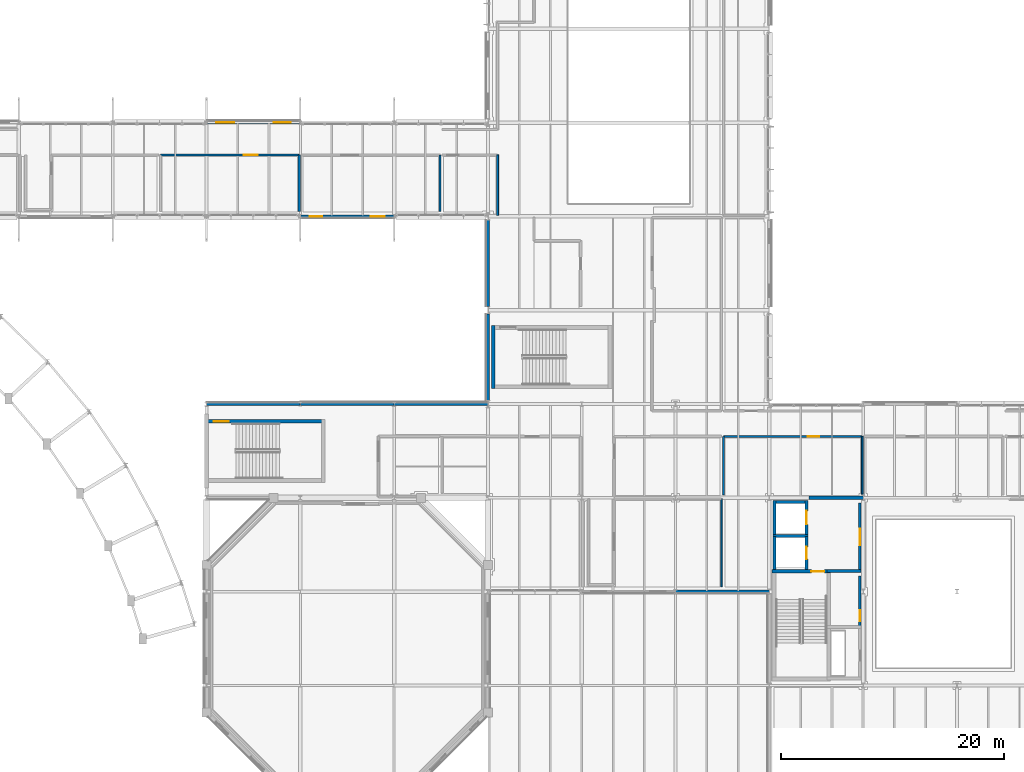
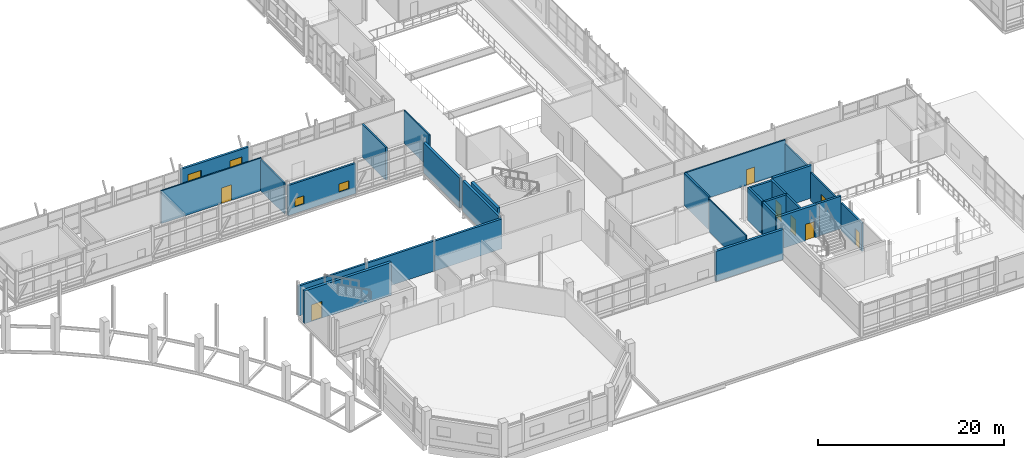
# One storey, part 95 of 129: 29 walls, 8 doors, 4 windows, 12 openings.
"""IFC4 building model written with IfcOpenShell, lengths in metres."""

from ifc_helpers import new_model, si_unit, direction, frame, frame_2d, origin, place, context, subcontext, project, spatial, rectangle, extrude, material, layer, layer_set, type_object, element, fill, save


model = new_model("IFC4")

# Units and contexts
model_context = context("Model", 3, precision=1e-05, world=origin(), true_north=direction((0.0, 1.0)))
body_context = subcontext(model_context, "Body", "Model", "MODEL_VIEW")
ifc_project = project(units=[si_unit("LENGTHUNIT", "METRE"), si_unit("AREAUNIT", "SQUARE_METRE"), si_unit("VOLUMEUNIT", "CUBIC_METRE"), si_unit("PLANEANGLEUNIT", "RADIAN"), si_unit("MASSUNIT", "GRAM", prefix="KILO")], contexts=[model_context])

# Site, building, storey
site_placement = place(None, origin())
site = spatial("IfcSite", under=ifc_project, at=site_placement, CompositionType="ELEMENT")
building_placement = place(site_placement, origin())
building = spatial("IfcBuilding", under=site, at=building_placement, Name="Mersafa Astral City Hall", CompositionType="ELEMENT")
storey_placement = place(building_placement, frame((0.0, 0.0, 5.39990234375)))
storey = spatial("IfcBuildingStorey", under=building, at=storey_placement, Name="L01", CompositionType="ELEMENT", Elevation=5.39990234375)

# Wall, openings, windows
ifc_material_1 = material(Name="Precast concrete C40/50 insulated terracotta spandrel", Category="masonry")
ifc_layer_1 = layer(ifc_material_1, 0.235107421875, Name="Precast concrete C40/50 insulated terracotta spandrel")
ifc_layer_set_1 = layer_set([ifc_layer_1], Name="Precast concrete C40/50 insulated terracotta spandrel — ENV-WAL-EXT-235")
wall_type_1 = type_object("IfcWallType", Name="ENV-WAL-EXT-235", PredefinedType="STANDARD", material=ifc_layer_set_1)
wall_1_placement = place(storey_placement, frame((75.60791015625, 50.39990234375, 0.0), z_axis=(0.0, 0.0, 1.0), x_axis=(1.0, 0.0, 0.0)))
wall_1 = element("IfcWall", 1, at=wall_1_placement, inside=storey, type_object=wall_type_1, Name="L01 Limestone-clad exterior wall 143", PredefinedType="STANDARD", context=body_context, shape_type="SweptSolid", body=[
    extrude(rectangle(XDim=8.384033203125, YDim=0.235107421875, at=frame_2d((4.19189453125, 0.0))), origin(), (0.0, 0.0, 1.0), 3.9521484375),
])
opening_1_placement = place(wall_1_placement, frame((0.85009765625, 0.0, 0.89990234375)))
opening_1 = element("IfcOpeningElement", 2, at=opening_1_placement, cuts=wall_1, Name="Opening W-02", PredefinedType="OPENING", context=body_context, shape_type="SweptSolid", body=[
    extrude(rectangle(XDim=1.1201171875, YDim=1.050048828125, at=frame_2d((0.56005859375, 0.52490234375))), frame((0.0, 0.12744140625, 0.0), z_axis=(0.0, -1.0, 0.0), x_axis=(1.0, 0.0, 0.0)), (0.0, 0.0, 1.0), 0.255126953125),
])
opening_2_placement = place(wall_1_placement, frame((6.31396484375, 0.0, 0.89990234375)))
opening_2 = element("IfcOpeningElement", 3, at=opening_2_placement, cuts=wall_1, Name="Opening W-03", PredefinedType="OPENING", context=body_context, shape_type="SweptSolid", body=[
    extrude(rectangle(XDim=1.219970703125, YDim=1.050048828125, at=frame_2d((0.60986328125, 0.52490234375))), frame((0.0, 0.12744140625, 0.0), z_axis=(0.0, -1.0, 0.0), x_axis=(1.0, 0.0, 0.0)), (0.0, 0.0, 1.0), 0.255126953125),
])
ifc_material_2 = material(Name="Solar control low-e double glazing in bronze frame", Category="glass")
window_type_1 = type_object("IfcWindowType", Name="ENV-WIN-W-02", PartitioningType="SINGLE_PANEL", PredefinedType="WINDOW", material=ifc_material_2)
window_1_placement = place(opening_1_placement, origin())
window_1 = element("IfcWindow", 4, at=window_1_placement, inside=storey, type_object=window_type_1, Name="L01 Solar punched window 143-L", OverallHeight=1.050048828125, OverallWidth=1.1201171875, PartitioningType="SINGLE_PANEL", PredefinedType="WINDOW", context=body_context, shape_type="SweptSolid", body=[
    extrude(rectangle(XDim=1.1201171875, YDim=1.050048828125, at=frame_2d((0.56005859375, 0.52490234375))), frame((0.0, 0.030029296875, 0.0), z_axis=(0.0, -1.0, 0.0), x_axis=(1.0, 0.0, 0.0)), (0.0, 0.0, 1.0), 0.06005859375),
])
fill(opening_1, window_1)
window_type_2 = type_object("IfcWindowType", Name="ENV-WIN-W-03", PartitioningType="SINGLE_PANEL", PredefinedType="WINDOW", material=ifc_material_2)
window_2_placement = place(opening_2_placement, origin())
window_2 = element("IfcWindow", 5, at=window_2_placement, inside=storey, type_object=window_type_2, Name="L01 Solar punched window 143-R", OverallHeight=1.050048828125, OverallWidth=1.219970703125, PartitioningType="SINGLE_PANEL", PredefinedType="WINDOW", context=body_context, shape_type="SweptSolid", body=[
    extrude(rectangle(XDim=1.219970703125, YDim=1.050048828125, at=frame_2d((0.60986328125, 0.52490234375))), frame((0.0, 0.030029296875, 0.0), z_axis=(0.0, -1.0, 0.0), x_axis=(1.0, 0.0, 0.0)), (0.0, 0.0, 1.0), 0.06005859375),
])
fill(opening_2, window_2)

# Walls
ifc_layer_2 = layer(ifc_material_1, 0.25, Name="Precast concrete C40/50 insulated terracotta spandrel")
ifc_layer_set_2 = layer_set([ifc_layer_2], Name="Precast concrete C40/50 insulated terracotta spandrel — ENV-WAL-EXT-250")
wall_type_2 = type_object("IfcWallType", Name="ENV-WAL-EXT-250", PredefinedType="STANDARD", material=ifc_layer_set_2)
wall_2_placement = place(storey_placement, frame((75.592041015625, 33.60009765625, 0.0), z_axis=(0.0, 0.0, 1.0), x_axis=(-1.0, 0.0, 0.0)))
element("IfcWall", 6, at=wall_2_placement, inside=storey, type_object=wall_type_2, Name="L01 Limestone-clad exterior wall 148", PredefinedType="STANDARD", context=body_context, shape_type="SweptSolid", body=[
    extrude(rectangle(XDim=8.384033203125, YDim=0.25, at=frame_2d((4.19189453125, 0.0))), origin(), (0.0, 0.0, 1.0), 3.922119140625),
])
ifc_material_3 = material(Name="Precast concrete C40/50 insulated limestone wall", Category="masonry")
ifc_layer_3 = layer(ifc_material_3, 0.264892578125, Name="Precast concrete C40/50 insulated limestone wall")
ifc_layer_set_3 = layer_set([ifc_layer_3], Name="Precast concrete C40/50 insulated limestone wall — ENV-WAL-EXT-265")
wall_type_3 = type_object("IfcWallType", Name="ENV-WAL-EXT-265", PredefinedType="STANDARD", material=ifc_layer_set_3)
wall_3_placement = place(storey_placement, frame((83.991943359375, 33.60009765625, 0.0), z_axis=(0.0, 0.0, 1.0), x_axis=(-1.0, 0.0, 0.0)))
element("IfcWall", 7, at=wall_3_placement, inside=storey, type_object=wall_type_3, Name="L01 Limestone-clad exterior wall 147", PredefinedType="STANDARD", context=body_context, shape_type="SweptSolid", body=[
    extrude(rectangle(XDim=8.384033203125, YDim=0.264892578125, at=frame_2d((4.19189453125, 0.0))), origin(), (0.0, 0.0, 1.0), 3.9521484375),
])

# Wall, openings, windows
ifc_layer_4 = layer(ifc_material_3, 0.280029296875, Name="Precast concrete C40/50 insulated limestone wall")
ifc_layer_set_4 = layer_set([ifc_layer_4], Name="Precast concrete C40/50 insulated limestone wall — ENV-WAL-EXT-280")
wall_type_4 = type_object("IfcWallType", Name="ENV-WAL-EXT-280", PredefinedType="STANDARD", material=ifc_layer_set_4)
wall_4_placement = place(storey_placement, frame((75.592041015625, 58.800048828125, 0.0), z_axis=(0.0, 0.0, 1.0), x_axis=(-1.0, 0.0, 0.0)))
wall_4 = element("IfcWall", 8, at=wall_4_placement, inside=storey, type_object=wall_type_4, Name="L01 Limestone-clad exterior wall 140", PredefinedType="STANDARD", context=body_context, shape_type="SweptSolid", body=[
    extrude(rectangle(XDim=8.384033203125, YDim=0.280029296875, at=frame_2d((4.19189453125, 0.0))), origin(), (0.0, 0.0, 1.0), 3.9521484375),
])
opening_3_placement = place(wall_4_placement, frame((0.85009765625, 0.0, 0.89990234375)))
opening_3 = element("IfcOpeningElement", 9, at=opening_3_placement, cuts=wall_4, Name="Opening W-56", PredefinedType="OPENING", context=body_context, shape_type="SweptSolid", body=[
    extrude(rectangle(XDim=1.52001953125, YDim=2.050048828125, at=frame_2d((0.760009765625, 1.02490234375))), frame((0.0, 0.14990234375, 0.0), z_axis=(0.0, -1.0, 0.0), x_axis=(1.0, 0.0, 0.0)), (0.0, 0.0, 1.0), 0.300048828125),
])
opening_4_placement = place(wall_4_placement, frame((5.9140625, 0.0, 0.89990234375)))
opening_4 = element("IfcOpeningElement", 10, at=opening_4_placement, cuts=wall_4, Name="Opening W-57", PredefinedType="OPENING", context=body_context, shape_type="SweptSolid", body=[
    extrude(rectangle(XDim=1.6201171875, YDim=2.050048828125, at=frame_2d((0.81005859375, 1.02490234375))), frame((0.0, 0.14990234375, 0.0), z_axis=(0.0, -1.0, 0.0), x_axis=(1.0, 0.0, 0.0)), (0.0, 0.0, 1.0), 0.300048828125),
])
window_type_3 = type_object("IfcWindowType", Name="ENV-WIN-W-56", PartitioningType="SINGLE_PANEL", PredefinedType="WINDOW", material=ifc_material_2)
window_3_placement = place(opening_3_placement, origin())
window_3 = element("IfcWindow", 11, at=window_3_placement, inside=storey, type_object=window_type_3, Name="L01 Solar punched window 140-L", OverallHeight=2.050048828125, OverallWidth=1.52001953125, PartitioningType="SINGLE_PANEL", PredefinedType="WINDOW", context=body_context, shape_type="SweptSolid", body=[
    extrude(rectangle(XDim=1.52001953125, YDim=2.050048828125, at=frame_2d((0.760009765625, 1.02490234375))), frame((0.0, 0.030029296875, 0.0), z_axis=(0.0, -1.0, 0.0), x_axis=(1.0, 0.0, 0.0)), (0.0, 0.0, 1.0), 0.06005859375),
])
fill(opening_3, window_3)
window_type_4 = type_object("IfcWindowType", Name="ENV-WIN-W-57", PartitioningType="SINGLE_PANEL", PredefinedType="WINDOW", material=ifc_material_2)
window_4_placement = place(opening_4_placement, origin())
window_4 = element("IfcWindow", 12, at=window_4_placement, inside=storey, type_object=window_type_4, Name="L01 Solar punched window 140-R", OverallHeight=2.050048828125, OverallWidth=1.6201171875, PartitioningType="SINGLE_PANEL", PredefinedType="WINDOW", context=body_context, shape_type="SweptSolid", body=[
    extrude(rectangle(XDim=1.6201171875, YDim=2.050048828125, at=frame_2d((0.81005859375, 1.02490234375))), frame((0.0, 0.030029296875, 0.0), z_axis=(0.0, -1.0, 0.0), x_axis=(1.0, 0.0, 0.0)), (0.0, 0.0, 1.0), 0.06005859375),
])
fill(opening_4, window_4)

# Walls
wall_5_placement = place(storey_placement, frame((92.39208984375, 33.60009765625, 0.0), z_axis=(0.0, 0.0, 1.0), x_axis=(-1.0, 0.0, 0.0)))
element("IfcWall", 13, at=wall_5_placement, inside=storey, type_object=wall_type_4, Name="L01 Limestone-clad exterior wall 146", PredefinedType="STANDARD", context=body_context, shape_type="SweptSolid", body=[
    extrude(rectangle(XDim=8.384033203125, YDim=0.280029296875, at=frame_2d((4.19189453125, 0.0))), origin(), (0.0, 0.0, 1.0), 3.922119140625),
])
ifc_layer_5 = layer(ifc_material_3, 0.294921875, Name="Precast concrete C40/50 insulated limestone wall")
ifc_layer_set_5 = layer_set([ifc_layer_5], Name="Precast concrete C40/50 insulated limestone wall — ENV-WAL-EXT-295")
wall_type_5 = type_object("IfcWallType", Name="ENV-WAL-EXT-295", PredefinedType="STANDARD", material=ifc_layer_set_5)
wall_6_placement = place(storey_placement, frame((92.39990234375, 41.678955078125, 0.0), z_axis=(0.0, 0.0, 1.0), x_axis=(0.0, -1.0, 0.0)))
element("IfcWall", 14, at=wall_6_placement, inside=storey, type_object=wall_type_5, Name="L01 Limestone-clad exterior wall 145", PredefinedType="STANDARD", context=body_context, shape_type="SweptSolid", body=[
    extrude(rectangle(XDim=7.758056640625, YDim=0.294921875, at=frame_2d((3.87890625, 0.0))), origin(), (0.0, 0.0, 1.0), 4.01220703125),
])
ifc_layer_6 = layer(ifc_material_3, 0.31005859375, Name="Precast concrete C40/50 insulated limestone wall")
ifc_layer_set_6 = layer_set([ifc_layer_6], Name="Precast concrete C40/50 insulated limestone wall — ENV-WAL-EXT-310")
wall_type_6 = type_object("IfcWallType", Name="ENV-WAL-EXT-310", PredefinedType="STANDARD", material=ifc_layer_set_6)
wall_7_placement = place(storey_placement, frame((109.2080078125, 16.800048828125, 0.0), z_axis=(0.0, 0.0, 1.0), x_axis=(1.0, 0.0, 0.0)))
element("IfcWall", 15, at=wall_7_placement, inside=storey, type_object=wall_type_6, Name="L01 Limestone-clad exterior wall 84", PredefinedType="STANDARD", context=body_context, shape_type="SweptSolid", body=[
    extrude(rectangle(XDim=8.384033203125, YDim=0.31005859375, at=frame_2d((4.19189453125, 0.0))), origin(), (0.0, 0.0, 1.0), 3.9521484375),
])
wall_8_placement = place(storey_placement, frame((92.39990234375, 50.0791015625, 0.0), z_axis=(0.0, 0.0, 1.0), x_axis=(0.0, -1.0, 0.0)))
element("IfcWall", 16, at=wall_8_placement, inside=storey, type_object=wall_type_6, Name="L01 Limestone-clad exterior wall 144", PredefinedType="STANDARD", context=body_context, shape_type="SweptSolid", body=[
    extrude(rectangle(XDim=7.758056640625, YDim=0.31005859375, at=frame_2d((3.87890625, 0.0))), origin(), (0.0, 0.0, 1.0), 3.922119140625),
])
ifc_material_4 = material(Name="Concrete C40/50", Category="concrete")
ifc_layer_7 = layer(ifc_material_4, 0.260009765625, Name="Concrete C40/50")
ifc_layer_set_7 = layer_set([ifc_layer_7], Name="Concrete C40/50 — INT-WAL-CORE-260")
wall_type_7 = type_object("IfcWallType", Name="INT-WAL-CORE-260", PredefinedType="SHEAR", material=ifc_layer_set_7)
wall_9_placement = place(storey_placement, frame((117.9150390625, 21.784912109375, 0.0), z_axis=(0.0, 0.0, 1.0), x_axis=(1.0, 0.0, 0.0)))
element("IfcWall", 17, at=wall_9_placement, inside=storey, type_object=wall_type_7, Name="L01 Lift LF7 north shaft wall", PredefinedType="SHEAR", context=body_context, shape_type="SweptSolid", body=[
    extrude(rectangle(XDim=3.1298828125, YDim=0.260009765625, at=frame_2d((1.56494140625, 0.0))), origin(), (0.0, 0.0, 1.0), 4.2900390625),
])
wall_10_placement = place(storey_placement, frame((118.044921875, 18.797119140625, 0.0), z_axis=(0.0, 0.0, 1.0), x_axis=(0.0, 1.0, 0.0)))
element("IfcWall", 18, at=wall_10_placement, inside=storey, type_object=wall_type_7, Name="L01 Lift LF7 back shaft wall", PredefinedType="SHEAR", context=body_context, shape_type="SweptSolid", body=[
    extrude(rectangle(XDim=2.947998046875, YDim=0.260009765625, at=frame_2d((1.47412109375, 0.0))), origin(), (0.0, 0.0, 1.0), 4.2900390625),
])

# Wall, opening, door
wall_11_placement = place(storey_placement, frame((120.9150390625, 18.797119140625, 0.0), z_axis=(0.0, 0.0, 1.0), x_axis=(0.0, 1.0, 0.0)))
wall_11 = element("IfcWall", 19, at=wall_11_placement, inside=storey, type_object=wall_type_7, Name="L01 Lift LF7 front shaft wall", PredefinedType="SHEAR", context=body_context, shape_type="SweptSolid", body=[
    extrude(rectangle(XDim=2.947998046875, YDim=0.260009765625, at=frame_2d((1.47412109375, 0.0))), origin(), (0.0, 0.0, 1.0), 4.2900390625),
])
opening_5_placement = place(wall_11_placement, frame((0.924072265625, 0.0, 0.0)))
opening_5 = element("IfcOpeningElement", 20, at=opening_5_placement, cuts=wall_11, Name="Opening LD-1", PredefinedType="OPENING", context=body_context, shape_type="SweptSolid", body=[
    extrude(rectangle(XDim=1.10009765625, YDim=2.14990234375, at=frame_2d((0.550048828125, 1.074951171875))), frame((0.0, 0.139892578125, 0.0), z_axis=(0.0, -1.0, 0.0), x_axis=(1.0, 0.0, 0.0)), (0.0, 0.0, 1.0), 0.280029296875),
])
ifc_material_5 = material(Name="Stainless steel sliding lift landing door", Category="steel")
door_type_1 = type_object("IfcDoorType", Name="INT-DR-LIFT-LD1", OperationType="NOTDEFINED", PredefinedType="DOOR", material=ifc_material_5)
door_1_placement = place(opening_5_placement, origin())
door_1 = element("IfcDoor", 21, at=door_1_placement, inside=storey, type_object=door_type_1, Name="Elevator LF7 Sliding Landing Door L01", OperationType="DOUBLE_DOOR_SLIDING", OverallHeight=2.14990234375, OverallWidth=1.10009765625, PredefinedType="DOOR", context=body_context, shape_type="SweptSolid", body=[
    extrude(rectangle(XDim=1.10009765625, YDim=2.14990234375, at=frame_2d((0.550048828125, 1.074951171875))), frame((0.0, 0.02490234375, 0.0), z_axis=(0.0, -1.0, 0.0), x_axis=(1.0, 0.0, 0.0)), (0.0, 0.0, 1.0), 0.050048828125),
])
fill(opening_5, door_1)

# Walls
wall_12_placement = place(storey_placement, frame((117.9150390625, 24.8349609375, 0.0), z_axis=(0.0, 0.0, 1.0), x_axis=(1.0, 0.0, 0.0)))
element("IfcWall", 22, at=wall_12_placement, inside=storey, type_object=wall_type_7, Name="L01 Lift LF10 north shaft wall", PredefinedType="SHEAR", context=body_context, shape_type="SweptSolid", body=[
    extrude(rectangle(XDim=3.1298828125, YDim=0.260009765625, at=frame_2d((1.56494140625, 0.0))), origin(), (0.0, 0.0, 1.0), 4.2900390625),
])
wall_13_placement = place(storey_placement, frame((118.044921875, 21.905029296875, 0.0), z_axis=(0.0, 0.0, 1.0), x_axis=(0.0, 1.0, 0.0)))
element("IfcWall", 23, at=wall_13_placement, inside=storey, type_object=wall_type_7, Name="L01 Lift LF10 back shaft wall", PredefinedType="SHEAR", context=body_context, shape_type="SweptSolid", body=[
    extrude(rectangle(XDim=3.06005859375, YDim=0.260009765625, at=frame_2d((1.530029296875, 0.0))), origin(), (0.0, 0.0, 1.0), 4.2900390625),
])

# Wall, opening, door
wall_14_placement = place(storey_placement, frame((120.9150390625, 21.905029296875, 0.0), z_axis=(0.0, 0.0, 1.0), x_axis=(0.0, 1.0, 0.0)))
wall_14 = element("IfcWall", 24, at=wall_14_placement, inside=storey, type_object=wall_type_7, Name="L01 Lift LF10 front shaft wall", PredefinedType="SHEAR", context=body_context, shape_type="SweptSolid", body=[
    extrude(rectangle(XDim=3.06005859375, YDim=0.260009765625, at=frame_2d((1.530029296875, 0.0))), origin(), (0.0, 0.0, 1.0), 4.2900390625),
])
opening_6_placement = place(wall_14_placement, frame((0.929931640625, 0.0, 0.0)))
opening_6 = element("IfcOpeningElement", 25, at=opening_6_placement, cuts=wall_14, Name="Opening LD-2", PredefinedType="OPENING", context=body_context, shape_type="SweptSolid", body=[
    extrude(rectangle(XDim=1.199951171875, YDim=2.14990234375, at=frame_2d((0.60009765625, 1.074951171875))), frame((0.0, 0.139892578125, 0.0), z_axis=(0.0, -1.0, 0.0), x_axis=(1.0, 0.0, 0.0)), (0.0, 0.0, 1.0), 0.280029296875),
])
ifc_material_6 = material(Name="Heavy-duty sliding goods lift landing door", Category="metal")
door_type_2 = type_object("IfcDoorType", Name="INT-DR-LIFT-LD2", OperationType="NOTDEFINED", PredefinedType="DOOR", material=ifc_material_6)
door_2_placement = place(opening_6_placement, origin())
door_2 = element("IfcDoor", 26, at=door_2_placement, inside=storey, type_object=door_type_2, Name="Elevator LF10 Sliding Landing Door L01", OperationType="DOUBLE_DOOR_SLIDING", OverallHeight=2.14990234375, OverallWidth=1.199951171875, PredefinedType="DOOR", context=body_context, shape_type="SweptSolid", body=[
    extrude(rectangle(XDim=1.199951171875, YDim=2.14990234375, at=frame_2d((0.60009765625, 1.074951171875))), frame((0.0, 0.02490234375, 0.0), z_axis=(0.0, -1.0, 0.0), x_axis=(1.0, 0.0, 0.0)), (0.0, 0.0, 1.0), 0.050048828125),
])
fill(opening_6, door_2)

# Walls
wall_15_placement = place(storey_placement, frame((122.764892578125, 18.635009765625, 0.0), z_axis=(0.0, 0.0, 1.0), x_axis=(1.0, 0.0, 0.0)))
element("IfcWall", 27, at=wall_15_placement, inside=storey, type_object=wall_type_7, Name="L01 Core K5 restroom-lobby divider wall", PredefinedType="SHEAR", context=body_context, shape_type="SweptSolid", body=[
    extrude(rectangle(XDim=3.03515625, YDim=0.260009765625, at=frame_2d((1.517578125, 0.0))), origin(), (0.0, 0.0, 1.0), 4.2900390625),
])
ifc_layer_8 = layer(ifc_material_4, 0.300048828125, Name="Concrete C40/50")
ifc_layer_set_8 = layer_set([ifc_layer_8], Name="Concrete C40/50 — INT-WAL-CORE-300")
wall_type_8 = type_object("IfcWallType", Name="INT-WAL-CORE-300", PredefinedType="SHEAR", material=ifc_layer_set_8)
wall_16_placement = place(storey_placement, frame((121.14990234375, 25.2099609375, 0.0), z_axis=(0.0, 0.0, 1.0), x_axis=(1.0, 0.0, 0.0)))
element("IfcWall", 28, at=wall_16_placement, inside=storey, type_object=wall_type_8, Name="L01 Core K5 lobby north shear wall", PredefinedType="SHEAR", context=body_context, shape_type="SweptSolid", body=[
    extrude(rectangle(XDim=4.8701171875, YDim=0.300048828125, at=frame_2d((2.43505859375, 0.0))), origin(), (0.0, 0.0, 1.0), 4.2900390625),
])

# Wall, opening, door
ifc_layer_9 = layer(ifc_material_4, 0.340087890625, Name="Concrete C40/50")
ifc_layer_set_9 = layer_set([ifc_layer_9], Name="Concrete C40/50 — INT-WAL-CORE-340")
wall_type_9 = type_object("IfcWallType", Name="INT-WAL-CORE-340", PredefinedType="SHEAR", material=ifc_layer_set_9)
wall_17_placement = place(storey_placement, frame((117.8349609375, 18.625, 0.0), z_axis=(0.0, 0.0, 1.0), x_axis=(1.0, 0.0, 0.0)))
wall_17 = element("IfcWall", 29, at=wall_17_placement, inside=storey, type_object=wall_type_9, Name="L01 Core K5 stair-lobby fire wall", PredefinedType="SHEAR", context=body_context, shape_type="SweptSolid", body=[
    extrude(rectangle(XDim=5.25, YDim=0.340087890625, at=frame_2d((2.625, 0.0))), origin(), (0.0, 0.0, 1.0), 4.2900390625),
])
opening_7_placement = place(wall_17_placement, frame((3.534912109375, 0.0, 0.0)))
opening_7 = element("IfcOpeningElement", 30, at=opening_7_placement, cuts=wall_17, Name="Opening CD-1", PredefinedType="OPENING", context=body_context, shape_type="SweptSolid", body=[
    extrude(rectangle(XDim=1.14990234375, YDim=2.14990234375, at=frame_2d((0.574951171875, 1.074951171875))), frame((0.0, 0.179931640625, 0.0), z_axis=(0.0, -1.0, 0.0), x_axis=(1.0, 0.0, 0.0)), (0.0, 0.0, 1.0), 0.360107421875),
])
ifc_material_7 = material(Name="Fire-rated steel stair door", Category="steel")
door_type_3 = type_object("IfcDoorType", Name="INT-DR-STAIR-FD90-1150", OperationType="NOTDEFINED", PredefinedType="DOOR", material=ifc_material_7)
door_3_placement = place(opening_7_placement, origin())
door_3 = element("IfcDoor", 31, at=door_3_placement, inside=storey, type_object=door_type_3, Name="L01 Protected Stair ST5 Door", OperationType="SINGLE_SWING_LEFT", OverallHeight=2.14990234375, OverallWidth=1.14990234375, PredefinedType="DOOR", context=body_context, shape_type="SweptSolid", body=[
    extrude(rectangle(XDim=1.14990234375, YDim=2.14990234375, at=frame_2d((0.574951171875, 1.074951171875))), frame((0.0, 0.02490234375, 0.0), z_axis=(0.0, -1.0, 0.0), x_axis=(1.0, 0.0, 0.0)), (0.0, 0.0, 1.0), 0.050048828125),
])
fill(opening_7, door_3)

wall_18_placement = place(storey_placement, frame((67.034912109375, 32.054931640625, 0.0), z_axis=(0.0, 0.0, 1.0), x_axis=(1.0, 0.0, 0.0)))
wall_18 = element("IfcWall", 32, at=wall_18_placement, inside=storey, type_object=wall_type_9, Name="L01 Assembly stair K7 north wall", PredefinedType="SHEAR", context=body_context, shape_type="SweptSolid", body=[
    extrude(rectangle(XDim=10.7900390625, YDim=0.340087890625, at=frame_2d((5.39501953125, 0.0))), origin(), (0.0, 0.0, 1.0), 4.2900390625),
])
opening_8_placement = place(wall_18_placement, frame((0.820068359375, 0.0, 0.0)))
opening_8 = element("IfcOpeningElement", 33, at=opening_8_placement, cuts=wall_18, Name="Opening CD-2", PredefinedType="OPENING", context=body_context, shape_type="SweptSolid", body=[
    extrude(rectangle(XDim=1.35009765625, YDim=2.199951171875, at=frame_2d((0.675048828125, 1.10009765625))), frame((0.0, 0.179931640625, 0.0), z_axis=(0.0, -1.0, 0.0), x_axis=(1.0, 0.0, 0.0)), (0.0, 0.0, 1.0), 0.360107421875),
])
ifc_material_8 = material(Name="Fire-rated steel assembly stair door", Category="steel")
door_type_4 = type_object("IfcDoorType", Name="INT-DR-STAIR-FD90-1350", OperationType="NOTDEFINED", PredefinedType="DOOR", material=ifc_material_8)
door_4_placement = place(opening_8_placement, origin())
door_4 = element("IfcDoor", 34, at=door_4_placement, inside=storey, type_object=door_type_4, Name="L01 Assembly Stair ST7 Fire Door", OperationType="SINGLE_SWING_LEFT", OverallHeight=2.199951171875, OverallWidth=1.35009765625, PredefinedType="DOOR", context=body_context, shape_type="SweptSolid", body=[
    extrude(rectangle(XDim=1.35009765625, YDim=2.199951171875, at=frame_2d((0.675048828125, 1.10009765625))), frame((0.0, 0.02490234375, 0.0), z_axis=(0.0, -1.0, 0.0), x_axis=(1.0, 0.0, 0.0)), (0.0, 0.0, 1.0), 0.050048828125),
])
fill(opening_8, door_4)

# Walls
wall_19_placement = place(storey_placement, frame((92.875, 34.97509765625, 0.0), z_axis=(0.0, 0.0, 1.0), x_axis=(0.0, 1.0, 0.0)))
element("IfcWall", 35, at=wall_19_placement, inside=storey, type_object=wall_type_9, Name="L01 Assembly stair K8 west wall", PredefinedType="SHEAR", context=body_context, shape_type="SweptSolid", body=[
    extrude(rectangle(XDim=5.64990234375, YDim=0.340087890625, at=frame_2d((2.824951171875, 0.0))), origin(), (0.0, 0.0, 1.0), 4.2900390625),
])
ifc_material_9 = material(Name="Acoustic steel-stud gypsum partition", Category="steel")
ifc_layer_10 = layer(ifc_material_9, 0.135009765625, Name="Acoustic steel-stud gypsum partition")
ifc_layer_set_10 = layer_set([ifc_layer_10], Name="Acoustic steel-stud gypsum partition — INT-WAL-PART-EI30-135")
wall_type_10 = type_object("IfcWallType", Name="INT-WAL-PART-EI30-135", PredefinedType="STANDARD", material=ifc_layer_set_10)
wall_20_placement = place(storey_placement, frame((113.31005859375, 25.110107421875, -0.00390625), z_axis=(0.0, 0.0, 1.0), x_axis=(0.0, -1.0, 0.0)))
element("IfcWall", 36, at=wall_20_placement, inside=storey, type_object=wall_type_10, Name="L01 Interior partition wall 328", PredefinedType="STANDARD", context=body_context, shape_type="SweptSolid", body=[
    extrude(rectangle(XDim=7.89013671875, YDim=0.135009765625, at=frame_2d((3.945068359375, 0.0))), origin(), (0.0, 0.0, 1.0), 4.2939453125),
])
ifc_material_10 = material(Name="Fire-rated gypsum stud partition", Category="gypsum")
ifc_layer_11 = layer(ifc_material_10, 0.1650390625, Name="Fire-rated gypsum stud partition")
ifc_layer_set_11 = layer_set([ifc_layer_11], Name="Fire-rated gypsum stud partition — INT-WAL-PART-EI60-165")
wall_type_11 = type_object("IfcWallType", Name="INT-WAL-PART-EI60-165", PredefinedType="STANDARD", material=ifc_layer_set_11)
wall_21_placement = place(storey_placement, frame((125.909912109375, 30.699951171875, -0.00390625), z_axis=(0.0, 0.0, 1.0), x_axis=(0.0, -1.0, 0.0)))
element("IfcWall", 37, at=wall_21_placement, inside=storey, type_object=wall_type_11, Name="L01 Interior partition wall 335", PredefinedType="STANDARD", context=body_context, shape_type="SweptSolid", body=[
    extrude(rectangle(XDim=5.159912109375, YDim=0.1650390625, at=frame_2d((2.580078125, 0.0))), origin(), (0.0, 0.0, 1.0), 3.7958984375),
])

# Wall, opening, door
wall_22_placement = place(storey_placement, frame((63.090087890625, 55.89990234375, -0.00390625), z_axis=(0.0, 0.0, 1.0), x_axis=(1.0, 0.0, 0.0)))
wall_22 = element("IfcWall", 38, at=wall_22_placement, inside=storey, type_object=wall_type_11, Name="L01 Interior partition wall 343", PredefinedType="STANDARD", context=body_context, shape_type="SweptSolid", body=[
    extrude(rectangle(XDim=12.419921875, YDim=0.1650390625, at=frame_2d((6.2099609375, 0.0))), origin(), (0.0, 0.0, 1.0), 4.2939453125),
])
opening_9_placement = place(wall_22_placement, frame((7.43310546875, 0.0, 0.0)))
opening_9 = element("IfcOpeningElement", 39, at=opening_9_placement, cuts=wall_22, Name="Opening D-06", PredefinedType="OPENING", context=body_context, shape_type="SweptSolid", body=[
    extrude(rectangle(XDim=1.280029296875, YDim=2.06005859375, at=frame_2d((0.64013671875, 1.030029296875))), frame((0.0, 0.092529296875, 0.0), z_axis=(0.0, -1.0, 0.0), x_axis=(1.0, 0.0, 0.0)), (0.0, 0.0, 1.0), 0.18505859375),
])
ifc_material_11 = material(Name="Cedar veneered acoustic fire-rated timber door", Category="wood")
door_type_5 = type_object("IfcDoorType", Name="INT-DR-RM-D-06", OperationType="NOTDEFINED", PredefinedType="DOOR", material=ifc_material_11)
door_5_placement = place(opening_9_placement, origin())
door_5 = element("IfcDoor", 40, at=door_5_placement, inside=storey, type_object=door_type_5, Name="L01 Legislative Drafting Office L01-17 Entrance Door", OperationType="SINGLE_SWING_RIGHT", OverallHeight=2.06005859375, OverallWidth=1.280029296875, PredefinedType="DOOR", context=body_context, shape_type="SweptSolid", body=[
    extrude(rectangle(XDim=1.280029296875, YDim=2.06005859375, at=frame_2d((0.64013671875, 1.030029296875))), frame((0.0, 0.02490234375, 0.0), z_axis=(0.0, -1.0, 0.0), x_axis=(1.0, 0.0, 0.0)), (0.0, 0.0, 1.0), 0.050048828125),
])
fill(opening_9, door_5)

# Wall
wall_23_placement = place(storey_placement, frame((93.27001953125, 55.89990234375, -0.00390625), z_axis=(0.0, 0.0, 1.0), x_axis=(0.0, -1.0, 0.0)))
element("IfcWall", 41, at=wall_23_placement, inside=storey, type_object=wall_type_11, Name="L01 Interior partition wall 391", PredefinedType="STANDARD", context=body_context, shape_type="SweptSolid", body=[
    extrude(rectangle(XDim=5.409912109375, YDim=0.1650390625, at=frame_2d((2.705078125, 0.0))), origin(), (0.0, 0.0, 1.0), 4.2939453125),
])

# Wall, opening, door
ifc_material_12 = material(Name="Acoustic twin-stud gypsum partition", Category="gypsum")
ifc_layer_12 = layer(ifc_material_12, 0.179931640625, Name="Acoustic twin-stud gypsum partition")
ifc_layer_set_12 = layer_set([ifc_layer_12], Name="Acoustic twin-stud gypsum partition — INT-WAL-PART-EI60-180")
wall_type_12 = type_object("IfcWallType", Name="INT-WAL-PART-EI60-180", PredefinedType="STANDARD", material=ifc_layer_set_12)
wall_24_placement = place(storey_placement, frame((113.489990234375, 30.699951171875, -0.00390625), z_axis=(0.0, 0.0, 1.0), x_axis=(1.0, 0.0, 0.0)))
wall_24 = element("IfcWall", 42, at=wall_24_placement, inside=storey, type_object=wall_type_12, Name="L01 Interior partition wall 334", PredefinedType="STANDARD", context=body_context, shape_type="SweptSolid", body=[
    extrude(rectangle(XDim=12.419921875, YDim=0.179931640625, at=frame_2d((6.2099609375, 0.0))), origin(), (0.0, 0.0, 1.0), 4.2939453125),
])
opening_10_placement = place(wall_24_placement, frame((7.552978515625, 0.0, 0.0)))
opening_10 = element("IfcOpeningElement", 43, at=opening_10_placement, cuts=wall_24, Name="Opening D-03", PredefinedType="OPENING", context=body_context, shape_type="SweptSolid", body=[
    extrude(rectangle(XDim=1.0400390625, YDim=2.06005859375, at=frame_2d((0.52001953125, 1.030029296875))), frame((0.0, 0.099853515625, 0.0), z_axis=(0.0, -1.0, 0.0), x_axis=(1.0, 0.0, 0.0)), (0.0, 0.0, 1.0), 0.199951171875),
])
door_type_6 = type_object("IfcDoorType", Name="INT-DR-RM-D-03", OperationType="NOTDEFINED", PredefinedType="DOOR", material=ifc_material_11)
door_6_placement = place(opening_10_placement, origin())
door_6 = element("IfcDoor", 44, at=door_6_placement, inside=storey, type_object=door_type_6, Name="L01 Civic Ombudsman Consultation Suite L01-14 Entrance Door", OperationType="SINGLE_SWING_LEFT", OverallHeight=2.06005859375, OverallWidth=1.0400390625, PredefinedType="DOOR", context=body_context, shape_type="SweptSolid", body=[
    extrude(rectangle(XDim=1.0400390625, YDim=2.06005859375, at=frame_2d((0.52001953125, 1.030029296875))), frame((0.0, 0.02490234375, 0.0), z_axis=(0.0, -1.0, 0.0), x_axis=(1.0, 0.0, 0.0)), (0.0, 0.0, 1.0), 0.050048828125),
])
fill(opening_10, door_6)

# Wall
ifc_layer_13 = layer(ifc_material_12, 0.195068359375, Name="Acoustic twin-stud gypsum partition")
ifc_layer_set_13 = layer_set([ifc_layer_13], Name="Acoustic twin-stud gypsum partition — INT-WAL-PART-EI60-195")
wall_type_13 = type_object("IfcWallType", Name="INT-WAL-PART-EI60-195", PredefinedType="STANDARD", material=ifc_layer_set_13)
wall_25_placement = place(storey_placement, frame((113.489990234375, 25.4599609375, -0.00390625), z_axis=(0.0, 0.0, 1.0), x_axis=(0.0, 1.0, 0.0)))
element("IfcWall", 45, at=wall_25_placement, inside=storey, type_object=wall_type_13, Name="L01 Interior partition wall 333", PredefinedType="STANDARD", context=body_context, shape_type="SweptSolid", body=[
    extrude(rectangle(XDim=5.239990234375, YDim=0.195068359375, at=frame_2d((2.6201171875, 0.0))), origin(), (0.0, 0.0, 1.0), 4.2939453125),
])

# Wall, opening, door
ifc_material_13 = material(Name="Autoclaved aerated concrete blockwork plastered", Category="masonry")
ifc_layer_14 = layer(ifc_material_13, 0.2099609375, Name="Autoclaved aerated concrete blockwork plastered")
ifc_layer_set_14 = layer_set([ifc_layer_14], Name="Autoclaved aerated concrete blockwork plastered — INT-WAL-PART-EI60-210")
wall_type_14 = type_object("IfcWallType", Name="INT-WAL-PART-EI60-210", PredefinedType="STANDARD", material=ifc_layer_set_14)
wall_26_placement = place(storey_placement, frame((125.699951171875, 13.719970703125, 0.0), z_axis=(0.0, 0.0, 1.0), x_axis=(0.0, 1.0, 0.0)))
wall_26 = element("IfcWall", 46, at=wall_26_placement, inside=storey, type_object=wall_type_14, Name="L01 Core K5 accessible WC corridor partition", PredefinedType="STANDARD", context=body_context, shape_type="SweptSolid", body=[
    extrude(rectangle(XDim=4.47998046875, YDim=0.2099609375, at=frame_2d((2.239990234375, 0.0))), origin(), (0.0, 0.0, 1.0), 3.68212890625),
])
opening_11_placement = place(wall_26_placement, frame((0.449951171875, 0.0, 0.0)))
opening_11 = element("IfcOpeningElement", 47, at=opening_11_placement, cuts=wall_26, Name="Opening CD-4", PredefinedType="OPENING", context=body_context, shape_type="SweptSolid", body=[
    extrude(rectangle(XDim=0.949951171875, YDim=2.14990234375, at=frame_2d((0.47509765625, 1.074951171875))), frame((0.0, 0.114990234375, 0.0), z_axis=(0.0, -1.0, 0.0), x_axis=(1.0, 0.0, 0.0)), (0.0, 0.0, 1.0), 0.22998046875),
])
ifc_material_14 = material(Name="Accessible timber acoustic WC door", Category="wood")
door_type_7 = type_object("IfcDoorType", Name="INT-DR-WC-FD30-950", OperationType="NOTDEFINED", PredefinedType="DOOR", material=ifc_material_14)
door_7_placement = place(opening_11_placement, origin())
door_7 = element("IfcDoor", 48, at=door_7_placement, inside=storey, type_object=door_type_7, Name="L01 K5 Accessible Restroom Door", OperationType="SINGLE_SWING_LEFT", OverallHeight=2.14990234375, OverallWidth=0.949951171875, PredefinedType="DOOR", context=body_context, shape_type="SweptSolid", body=[
    extrude(rectangle(XDim=0.949951171875, YDim=2.14990234375, at=frame_2d((0.47509765625, 1.074951171875))), frame((0.0, 0.02490234375, 0.0), z_axis=(0.0, -1.0, 0.0), x_axis=(1.0, 0.0, 0.0)), (0.0, 0.0, 1.0), 0.050048828125),
])
fill(opening_11, door_7)

wall_27_placement = place(storey_placement, frame((125.699951171875, 18.639892578125, 0.0), z_axis=(0.0, 0.0, 1.0), x_axis=(0.0, 1.0, 0.0)))
wall_27 = element("IfcWall", 49, at=wall_27_placement, inside=storey, type_object=wall_type_14, Name="L01 Core K5 lobby corridor partition", PredefinedType="STANDARD", context=body_context, shape_type="SweptSolid", body=[
    extrude(rectangle(XDim=6.1201171875, YDim=0.2099609375, at=frame_2d((3.06005859375, 0.0))), origin(), (0.0, 0.0, 1.0), 3.68212890625),
])
opening_12_placement = place(wall_27_placement, frame((2.31005859375, 0.0, 0.0)))
opening_12 = element("IfcOpeningElement", 50, at=opening_12_placement, cuts=wall_27, Name="Opening CD-3", PredefinedType="OPENING", context=body_context, shape_type="SweptSolid", body=[
    extrude(rectangle(XDim=1.5, YDim=2.199951171875, at=frame_2d((0.75, 1.10009765625))), frame((0.0, 0.114990234375, 0.0), z_axis=(0.0, -1.0, 0.0), x_axis=(1.0, 0.0, 0.0)), (0.0, 0.0, 1.0), 0.22998046875),
])
ifc_material_15 = material(Name="Fire-rated glazed lobby door pair", Category="metal")
door_type_8 = type_object("IfcDoorType", Name="INT-DR-LOBBY-FD90-1500", OperationType="NOTDEFINED", PredefinedType="DOOR", material=ifc_material_15)
door_8_placement = place(opening_12_placement, origin())
door_8 = element("IfcDoor", 51, at=door_8_placement, inside=storey, type_object=door_type_8, Name="L01 K5 Lift Lobby Fire Door", OperationType="DOUBLE_DOOR_SINGLE_SWING", OverallHeight=2.199951171875, OverallWidth=1.5, PredefinedType="DOOR", context=body_context, shape_type="SweptSolid", body=[
    extrude(rectangle(XDim=1.5, YDim=2.199951171875, at=frame_2d((0.75, 1.10009765625))), frame((0.0, 0.02490234375, 0.0), z_axis=(0.0, -1.0, 0.0), x_axis=(1.0, 0.0, 0.0)), (0.0, 0.0, 1.0), 0.050048828125),
])
fill(opening_12, door_8)

# Walls
wall_28_placement = place(storey_placement, frame((75.510009765625, 55.89990234375, -0.00390625), z_axis=(0.0, 0.0, 1.0), x_axis=(0.0, -1.0, 0.0)))
element("IfcWall", 52, at=wall_28_placement, inside=storey, type_object=wall_type_14, Name="L01 Interior partition wall 344", PredefinedType="STANDARD", context=body_context, shape_type="SweptSolid", body=[
    extrude(rectangle(XDim=5.079833984375, YDim=0.2099609375, at=frame_2d((2.5400390625, 0.0))), origin(), (0.0, 0.0, 1.0), 4.01611328125),
])
wall_29_placement = place(storey_placement, frame((88.110107421875, 55.89990234375, -0.00390625), z_axis=(0.0, 0.0, 1.0), x_axis=(0.0, -1.0, 0.0)))
element("IfcWall", 53, at=wall_29_placement, inside=storey, type_object=wall_type_14, Name="L01 Interior partition wall 348", PredefinedType="STANDARD", context=body_context, shape_type="SweptSolid", body=[
    extrude(rectangle(XDim=5.079833984375, YDim=0.2099609375, at=frame_2d((2.5400390625, 0.0))), origin(), (0.0, 0.0, 1.0), 4.2939453125),
])

save(model, "model.ifc")
